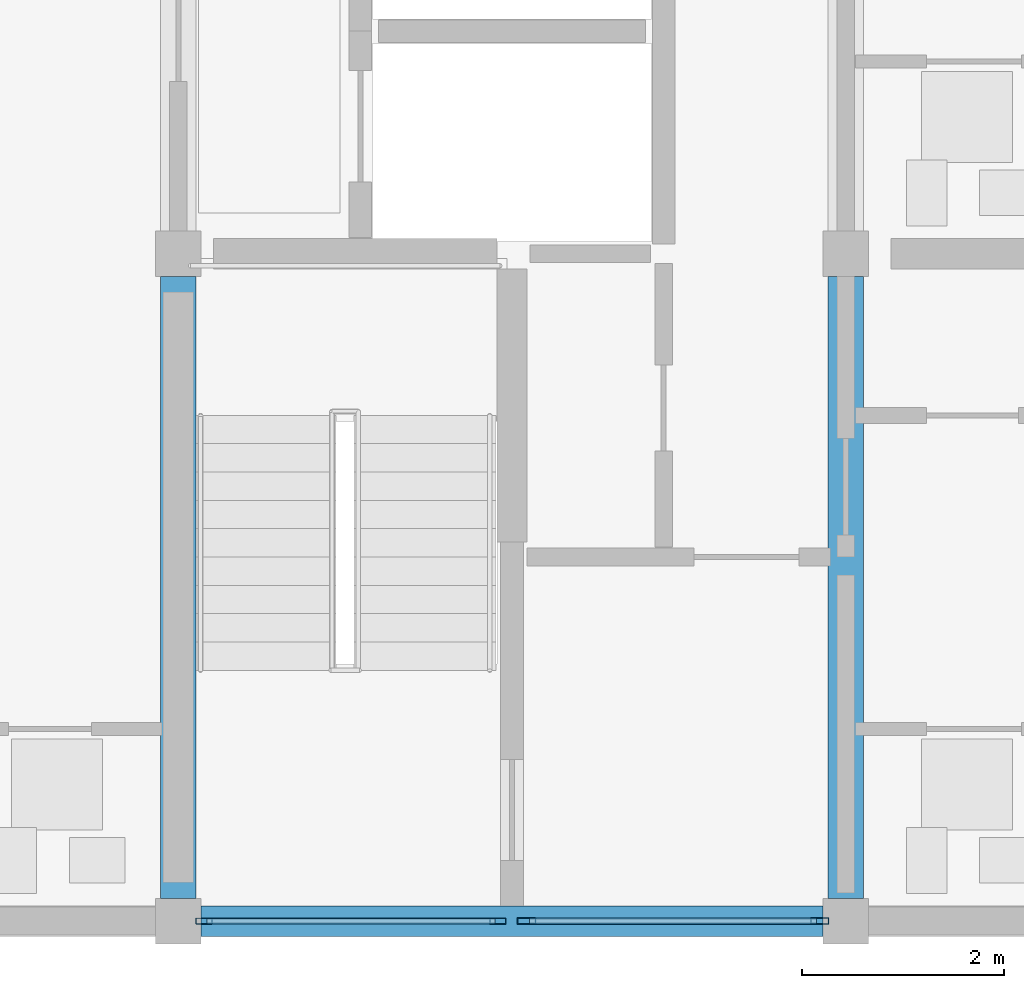
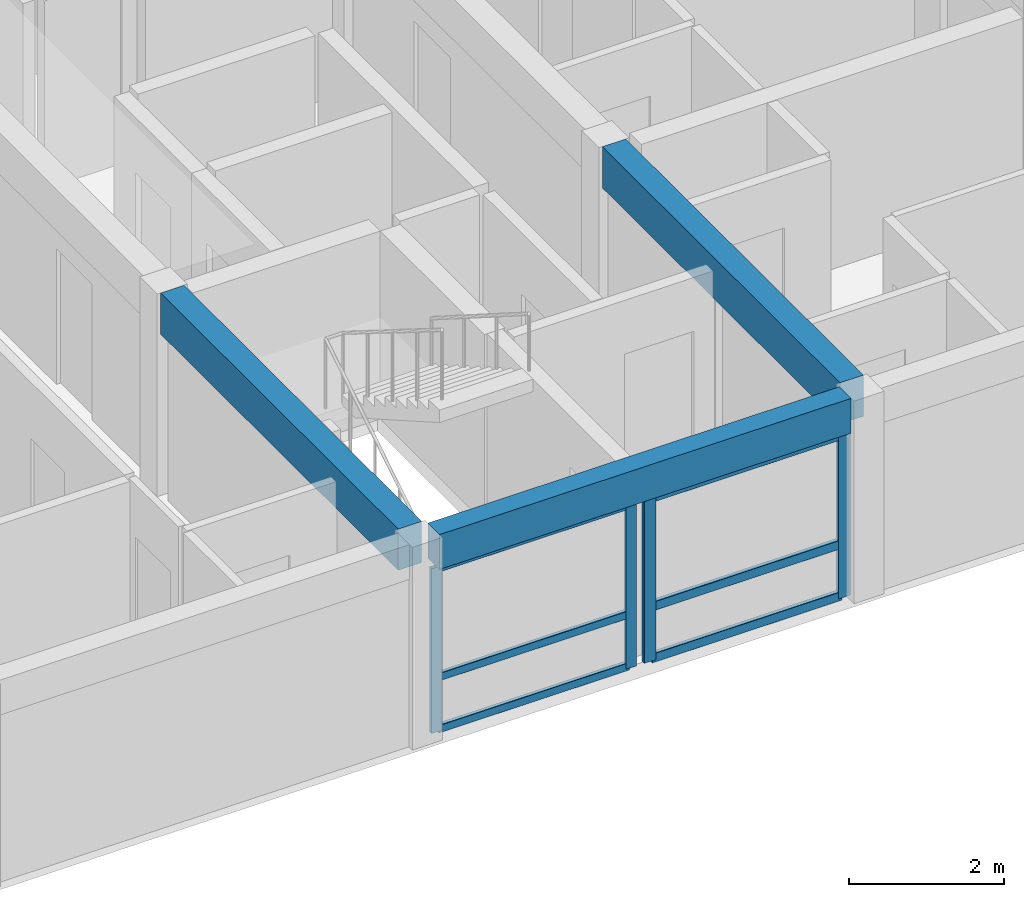
# One storey, part 10 of 46: 10 members, 3 beams, 2 elements without a shape of their own.
"""IFC4 building model written with IfcOpenShell, lengths in metres."""

from ifc_helpers import new_model, si_unit, direction, frame, origin, origin_2d, place, context, subcontext, project, spatial, rectangle, hollow_rectangle, extrude, material, material_profile, profile_set, type_object, element, aggregate, save


model = new_model("IFC4")

# Units and contexts
model_context = context("Model", 3, precision=1e-05, world=origin(), true_north=direction((0.0, 1.0)))
body_context = subcontext(model_context, "Body", "Model", "MODEL_VIEW")
ifc_project = project(units=[si_unit("LENGTHUNIT", "METRE"), si_unit("AREAUNIT", "SQUARE_METRE"), si_unit("VOLUMEUNIT", "CUBIC_METRE"), si_unit("PLANEANGLEUNIT", "RADIAN"), si_unit("MASSUNIT", "GRAM", prefix="KILO")], contexts=[model_context])

# Site, building, storey
site_placement = place(None, origin())
site = spatial("IfcSite", under=ifc_project, at=site_placement, CompositionType="ELEMENT")
building_placement = place(site_placement, origin())
building = spatial("IfcBuilding", under=site, at=building_placement, Name="Kernevlak Ridge Housing Community", CompositionType="ELEMENT")
storey_placement = place(building_placement, frame((0.0, 0.0, 27.60009765625)))
storey = spatial("IfcBuildingStorey", under=building, at=storey_placement, Name="L08", CompositionType="ELEMENT", Elevation=27.60009765625)

# Beams
ifc_material_1 = material(Name="Concrete C35/45", Category="concrete")
ifc_material_profile_1 = material_profile(ifc_material_1, rectangle(XDim=0.35009765625, YDim=0.64990234375, at=origin_2d()), Name="RC 350x650")
ifc_profile_set_1 = profile_set([ifc_material_profile_1], Name="Concrete C35/45")
beam_type_1 = type_object("IfcBeamType", Name="B-02", PredefinedType="BEAM", material=ifc_profile_set_1)
for number, where, z_axis, x_axis, name in (
    (1, (132.60009765625, 15.824951171875, 2.875), (0.0, 1.0, 0.0), (-1.0, 0.0, 0.0), "Beam B-02 L08 1182"),
    (2, (139.199951171875, 15.824951171875, 2.875), (0.0, 1.0, 0.0), (-1.0, 0.0, 0.0), "Beam B-02 L08 1186"),
):
    element("IfcBeam", number, at=place(storey_placement, frame(where, z_axis=z_axis, x_axis=x_axis)), inside=storey, type_object=beam_type_1, Name=name, PredefinedType="BEAM", context=body_context, shape_type="SweptSolid", body=[
        extrude(rectangle(XDim=0.35009765625, YDim=0.64990234375, at=origin_2d()), origin(), (0.0, 0.0, 1.0), 6.150146484375),
    ])

# Curtain wall, members
ifc_material_2 = material(Name="Aluminium EN AW-6060 anodised and laminated glass", Category="aluminium")
curtain_wall_type_1 = type_object("IfcCurtainWallType", Name="CW-07", PredefinedType="NOTDEFINED", material=ifc_material_2)
curtain_wall_1_placement = place(storey_placement, origin())
curtain_wall_1 = element("IfcCurtainWall", 3, at=curtain_wall_1_placement, inside=storey, type_object=curtain_wall_type_1, Name="Curtain wall CW-07 CW-L08-124", PredefinedType="NOTDEFINED")
ifc_material_3 = material(Name="Aluminium EN AW-6060 anodised", Category="aluminium")
ifc_material_profile_2 = material_profile(ifc_material_3, hollow_rectangle(XDim=0.06005859375, YDim=0.159912109375, WallThickness=0.00390625, InnerFilletRadius=0.001953125, OuterFilletRadius=0.00390625, at=origin_2d()), Name="ALU 60x160x4")
ifc_profile_set_2 = profile_set([ifc_material_profile_2], Name="Aluminium EN AW-6060 anodised")
member_type_1 = type_object("IfcMemberType", Name="MU-02", PredefinedType="MULLION", material=ifc_profile_set_2)
member_1_placement = place(storey_placement, frame((132.85498046875, 15.60009765625, 0.0), z_axis=(0.0, 0.0, 1.0), x_axis=(0.0, 1.0, 0.0)))
member_1 = element("IfcMember", 4, at=member_1_placement, type_object=member_type_1, Name="CW-07 mullion 1", PredefinedType="MULLION", context=body_context, shape_type="SweptSolid", body=[
    extrude(hollow_rectangle(XDim=0.06005859375, YDim=0.159912109375, WallThickness=0.00390625, InnerFilletRadius=0.001953125, OuterFilletRadius=0.00390625, at=origin_2d()), origin(), (0.0, 0.0, 1.0), 2.599853515625),
])
member_2_placement = place(storey_placement, frame((135.760009765625, 15.60009765625, 0.0), z_axis=(0.0, 0.0, 1.0), x_axis=(0.0, 1.0, 0.0)))
member_2 = element("IfcMember", 5, at=member_2_placement, type_object=member_type_1, Name="CW-07 mullion 2", PredefinedType="MULLION", context=body_context, shape_type="SweptSolid", body=[
    extrude(hollow_rectangle(XDim=0.06005859375, YDim=0.159912109375, WallThickness=0.00390625, InnerFilletRadius=0.001953125, OuterFilletRadius=0.00390625, at=origin_2d()), origin(), (0.0, 0.0, 1.0), 2.599853515625),
])

curtain_wall_type_2 = type_object("IfcCurtainWallType", Name="CW-12", PredefinedType="NOTDEFINED", material=ifc_material_2)
curtain_wall_2_placement = place(storey_placement, origin())
curtain_wall_2 = element("IfcCurtainWall", 6, at=curtain_wall_2_placement, inside=storey, type_object=curtain_wall_type_2, Name="Curtain wall CW-12 CW-L08-125", PredefinedType="NOTDEFINED")
ifc_material_profile_3 = material_profile(ifc_material_3, hollow_rectangle(XDim=0.06494140625, YDim=0.179931640625, WallThickness=0.00439453125, InnerFilletRadius=0.001953125, OuterFilletRadius=0.00439453125, at=origin_2d()), Name="ALU 65x180x4.5")
ifc_profile_set_3 = profile_set([ifc_material_profile_3], Name="Aluminium EN AW-6060 anodised")
member_type_2 = type_object("IfcMemberType", Name="MU-03", PredefinedType="MULLION", material=ifc_profile_set_3)
member_3_placement = place(storey_placement, frame((136.04248046875, 15.60009765625, 0.0), z_axis=(0.0, 0.0, 1.0), x_axis=(0.0, 1.0, 0.0)))
member_3 = element("IfcMember", 7, at=member_3_placement, type_object=member_type_2, Name="CW-12 mullion 1", PredefinedType="MULLION", context=body_context, shape_type="SweptSolid", body=[
    extrude(hollow_rectangle(XDim=0.06494140625, YDim=0.179931640625, WallThickness=0.00439453125, InnerFilletRadius=0.001953125, OuterFilletRadius=0.00439453125, at=origin_2d()), origin(), (0.0, 0.0, 1.0), 2.599853515625),
])
member_4_placement = place(storey_placement, frame((138.9423828125, 15.60009765625, 0.0), z_axis=(0.0, 0.0, 1.0), x_axis=(0.0, 1.0, 0.0)))
member_4 = element("IfcMember", 8, at=member_4_placement, type_object=member_type_2, Name="CW-12 mullion 2", PredefinedType="MULLION", context=body_context, shape_type="SweptSolid", body=[
    extrude(hollow_rectangle(XDim=0.06494140625, YDim=0.179931640625, WallThickness=0.00439453125, InnerFilletRadius=0.001953125, OuterFilletRadius=0.00439453125, at=origin_2d()), origin(), (0.0, 0.0, 1.0), 2.599853515625),
])

# Beam
ifc_material_profile_4 = material_profile(ifc_material_1, rectangle(XDim=0.300048828125, YDim=0.550048828125, at=origin_2d()), Name="RC 300x550")
ifc_profile_set_4 = profile_set([ifc_material_profile_4], Name="Concrete C35/45")
beam_type_2 = type_object("IfcBeamType", Name="SP-01", PredefinedType="SPANDREL", material=ifc_profile_set_4)
beam_placement = place(storey_placement, frame((132.824951171875, 15.60009765625, 2.9248046875), z_axis=(1.0, 0.0, 0.0), x_axis=(0.0, 1.0, 0.0)))
element("IfcBeam", 9, at=beam_placement, inside=storey, type_object=beam_type_2, Name="Beam SP-01 L08 1195", PredefinedType="SPANDREL", context=body_context, shape_type="SweptSolid", body=[
    extrude(rectangle(XDim=0.300048828125, YDim=0.550048828125, at=origin_2d()), origin(), (0.0, 0.0, 1.0), 6.150146484375),
])

# Member
ifc_material_profile_5 = material_profile(ifc_material_3, hollow_rectangle(XDim=0.06005859375, YDim=0.1201171875, WallThickness=0.00390625, InnerFilletRadius=0.001953125, OuterFilletRadius=0.00390625, at=origin_2d()), Name="ALU 60x120x4")
ifc_profile_set_5 = profile_set([ifc_material_profile_5], Name="Aluminium EN AW-6060 anodised")
member_type_3 = type_object("IfcMemberType", Name="TM-02", PredefinedType="USERDEFINED", material=ifc_profile_set_5)
member_5_placement = place(storey_placement, frame((132.885009765625, 15.60009765625, 0.02978515625), z_axis=(1.0, 0.0, 0.0), x_axis=(0.0, 1.0, 0.0)))
member_5 = element("IfcMember", 10, at=member_5_placement, type_object=member_type_3, Name="CW-07 transom 1.1", ObjectType="TRANSOM", PredefinedType="USERDEFINED", context=body_context, shape_type="SweptSolid", body=[
    extrude(hollow_rectangle(XDim=0.06005859375, YDim=0.1201171875, WallThickness=0.00390625, InnerFilletRadius=0.001953125, OuterFilletRadius=0.00390625, at=origin_2d()), origin(), (0.0, 0.0, 1.0), 2.844970703125),
])

member_6_placement = place(storey_placement, frame((132.885009765625, 15.60009765625, 0.849853515625), z_axis=(1.0, 0.0, 0.0), x_axis=(0.0, 1.0, 0.0)))
member_6 = element("IfcMember", 11, at=member_6_placement, type_object=member_type_3, Name="CW-07 transom 1.2", ObjectType="TRANSOM", PredefinedType="USERDEFINED", context=body_context, shape_type="SweptSolid", body=[
    extrude(hollow_rectangle(XDim=0.06005859375, YDim=0.1201171875, WallThickness=0.00390625, InnerFilletRadius=0.001953125, OuterFilletRadius=0.00390625, at=origin_2d()), origin(), (0.0, 0.0, 1.0), 2.844970703125),
])

member_7_placement = place(storey_placement, frame((132.885009765625, 15.60009765625, 2.56982421875), z_axis=(1.0, 0.0, 0.0), x_axis=(0.0, 1.0, 0.0)))
member_7 = element("IfcMember", 12, at=member_7_placement, type_object=member_type_3, Name="CW-07 transom 1.3", ObjectType="TRANSOM", PredefinedType="USERDEFINED", context=body_context, shape_type="SweptSolid", body=[
    extrude(hollow_rectangle(XDim=0.06005859375, YDim=0.1201171875, WallThickness=0.00390625, InnerFilletRadius=0.001953125, OuterFilletRadius=0.00390625, at=origin_2d()), origin(), (0.0, 0.0, 1.0), 2.844970703125),
])

aggregate(curtain_wall_1, [member_1, member_2, member_5, member_6, member_7])

ifc_material_profile_6 = material_profile(ifc_material_3, hollow_rectangle(XDim=0.06494140625, YDim=0.139892578125, WallThickness=0.00390625, InnerFilletRadius=0.001953125, OuterFilletRadius=0.00390625, at=origin_2d()), Name="ALU 65x140x4")
ifc_profile_set_6 = profile_set([ifc_material_profile_6], Name="Aluminium EN AW-6060 anodised")
member_type_4 = type_object("IfcMemberType", Name="TM-03", PredefinedType="USERDEFINED", material=ifc_profile_set_6)
member_8_placement = place(storey_placement, frame((136.074951171875, 15.60009765625, 0.032470703125), z_axis=(1.0, 0.0, 0.0), x_axis=(0.0, 1.0, 0.0)))
member_8 = element("IfcMember", 13, at=member_8_placement, type_object=member_type_4, Name="CW-12 transom 1.1", ObjectType="TRANSOM", PredefinedType="USERDEFINED", context=body_context, shape_type="SweptSolid", body=[
    extrude(hollow_rectangle(XDim=0.06494140625, YDim=0.139892578125, WallThickness=0.00390625, InnerFilletRadius=0.001953125, OuterFilletRadius=0.00390625, at=origin_2d()), origin(), (0.0, 0.0, 1.0), 2.8349609375),
])

member_9_placement = place(storey_placement, frame((136.074951171875, 15.60009765625, 0.849853515625), z_axis=(1.0, 0.0, 0.0), x_axis=(0.0, 1.0, 0.0)))
member_9 = element("IfcMember", 14, at=member_9_placement, type_object=member_type_4, Name="CW-12 transom 1.2", ObjectType="TRANSOM", PredefinedType="USERDEFINED", context=body_context, shape_type="SweptSolid", body=[
    extrude(hollow_rectangle(XDim=0.06494140625, YDim=0.139892578125, WallThickness=0.00390625, InnerFilletRadius=0.001953125, OuterFilletRadius=0.00390625, at=origin_2d()), origin(), (0.0, 0.0, 1.0), 2.8349609375),
])

member_10_placement = place(storey_placement, frame((136.074951171875, 15.60009765625, 2.5673828125), z_axis=(1.0, 0.0, 0.0), x_axis=(0.0, 1.0, 0.0)))
member_10 = element("IfcMember", 15, at=member_10_placement, type_object=member_type_4, Name="CW-12 transom 1.3", ObjectType="TRANSOM", PredefinedType="USERDEFINED", context=body_context, shape_type="SweptSolid", body=[
    extrude(hollow_rectangle(XDim=0.06494140625, YDim=0.139892578125, WallThickness=0.00390625, InnerFilletRadius=0.001953125, OuterFilletRadius=0.00390625, at=origin_2d()), origin(), (0.0, 0.0, 1.0), 2.8349609375),
])

aggregate(curtain_wall_2, [member_3, member_4, member_8, member_9, member_10])

save(model, "model.ifc")
